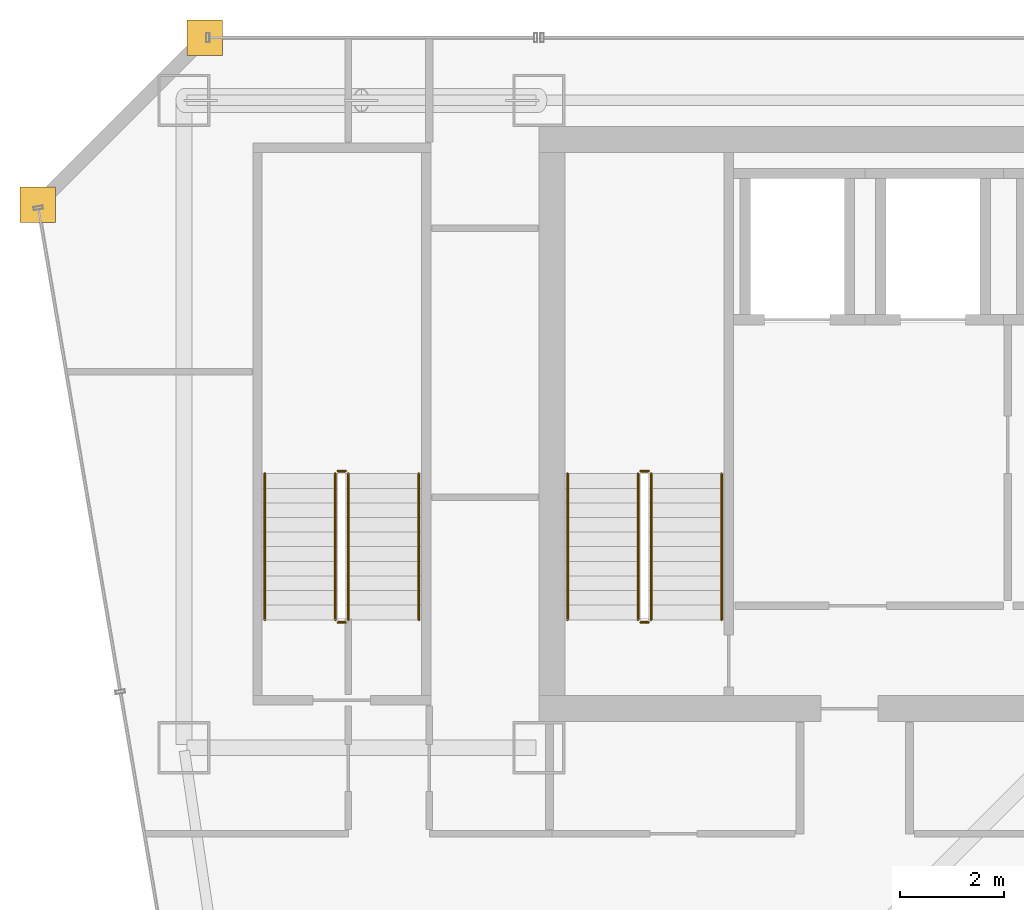
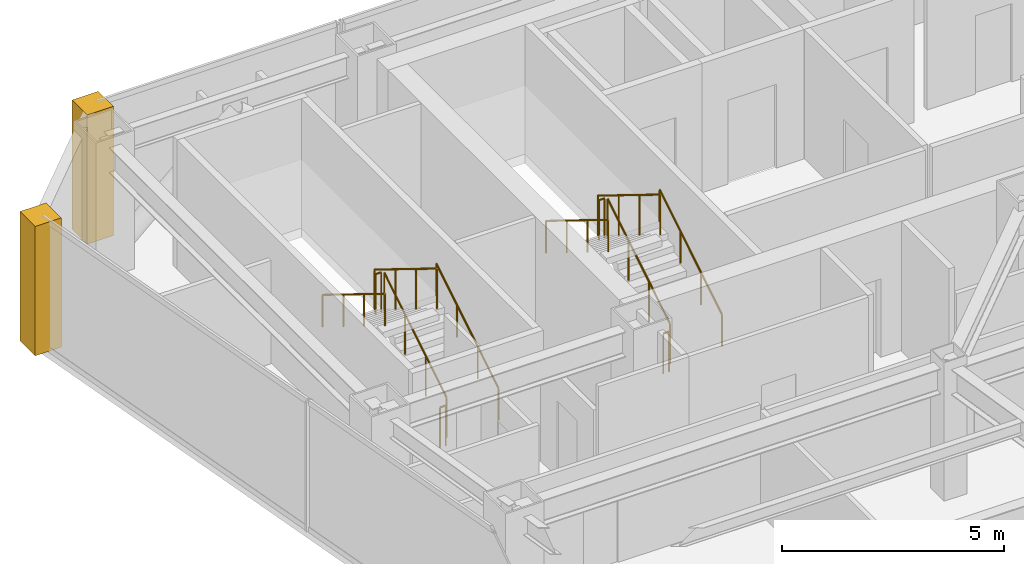
# One storey, part 34 of 35: 12 railings, 2 coverings.
"""IFC4 building model written with IfcOpenShell, lengths in metres."""

from ifc_helpers import new_model, si_unit, direction, frame, origin, origin_2d, place, context, subcontext, project, spatial, polyline, circle, outline, extrude, material, layer, layer_set, type_object, element, save


model = new_model("IFC4")

# Units and contexts
model_context = context("Model", 3, precision=1e-05, world=origin(), true_north=direction((0.0, 1.0)))
body_context = subcontext(model_context, "Body", "Model", "MODEL_VIEW")
ifc_project = project(units=[si_unit("LENGTHUNIT", "METRE"), si_unit("AREAUNIT", "SQUARE_METRE"), si_unit("VOLUMEUNIT", "CUBIC_METRE"), si_unit("PLANEANGLEUNIT", "RADIAN"), si_unit("MASSUNIT", "GRAM", prefix="KILO")], contexts=[model_context])

# Site, building, storey
site_placement = place(None, origin())
site = spatial("IfcSite", under=ifc_project, at=site_placement, CompositionType="ELEMENT")
building_placement = place(site_placement, origin())
building = spatial("IfcBuilding", under=site, at=building_placement, Name="Saevonmaru Cultural Tower", CompositionType="ELEMENT")
storey_placement = place(building_placement, frame((0.0, 0.0, 175.199951171875)))
storey = spatial("IfcBuildingStorey", under=building, at=storey_placement, Name="L39", CompositionType="ELEMENT", Elevation=175.199951171875)

# Coverings
ifc_material_1 = material(Name="Satin Bronze Anodised Aluminium", Category="aluminium")
ifc_layer = layer(ifc_material_1, 0.679931640625, Name="Satin Bronze Anodised Aluminium")
ifc_layer_set = layer_set([ifc_layer], Name="Satin Bronze Anodised Aluminium")
covering_type = type_object("IfcCoveringType", Name="CV-CORNER-CLAD", PredefinedType="CLADDING", material=ifc_layer_set)
covering_1_placement = place(storey_placement, origin())
element("IfcCovering", 1, at=covering_1_placement, inside=storey, type_object=covering_type, Name="L39 Tower Bronze Corner Cladding Pier 11", PredefinedType="CLADDING", context=body_context, shape_type="SweptSolid", body=[
    extrude(outline(polyline([(6.860107421875, 55.659912109375), (7.5400390625, 55.659912109375), (7.5400390625, 56.340087890625), (6.860107421875, 56.340087890625), (6.860107421875, 55.659912109375)])), origin(), (0.0, 0.0, 1.0), 3.550048828125),
])
covering_2_placement = place(storey_placement, origin())
element("IfcCovering", 2, at=covering_2_placement, inside=storey, type_object=covering_type, Name="L39 Tower Bronze Corner Cladding Pier 12", PredefinedType="CLADDING", context=body_context, shape_type="SweptSolid", body=[
    extrude(outline(polyline([(3.659912109375, 52.4599609375), (4.340087890625, 52.4599609375), (4.340087890625, 53.139892578125), (3.659912109375, 53.139892578125), (3.659912109375, 52.4599609375)])), origin(), (0.0, 0.0, 1.0), 3.550048828125),
])

# Railings
ifc_material_2 = material(Name="Architectural Painted Steel", Category="steel")
railing_type_1 = type_object("IfcRailingType", Name="RL-STAIR-GUARD", PredefinedType="GUARDRAIL", material=ifc_material_2)
railing_1_placement = place(storey_placement, frame((15.75, 44.85009765625, 0.1728515625)))
element("IfcRailing", 3, at=railing_1_placement, inside=storey, type_object=railing_type_1, Name="L39 ST-1 stair guard 1", PredefinedType="GUARDRAIL", context=body_context, shape_type="SweptSolid", body=[
    extrude(circle(Radius=0.02392578125, at=origin_2d()), frame((0.0, 0.0, 1.09619140625), z_axis=(0.0, 0.851069175582, 0.525053576669), x_axis=(-1.0, 0.0, 0.0)), (0.0, 0.0, 1.0), 3.289794921875),
    extrude(circle(Radius=0.02099609375, at=origin_2d()), origin(), (0.0, 0.0, 1.0), 1.072021484375),
    extrude(circle(Radius=0.02099609375, at=origin_2d()), frame((0.0, 0.933349609375, 0.57568359375)), (0.0, 0.0, 1.0), 1.072021484375),
    extrude(circle(Radius=0.02099609375, at=origin_2d()), frame((0.0, 1.866455078125, 1.151611328125)), (0.0, 0.0, 1.0), 1.072021484375),
    extrude(circle(Radius=0.02099609375, at=origin_2d()), frame((0.0, 2.7998046875, 1.727294921875)), (0.0, 0.0, 1.0), 1.072021484375),
])
railing_2_placement = place(storey_placement, frame((15.699951171875, 47.699951171875, 1.900146484375)))
element("IfcRailing", 4, at=railing_2_placement, inside=storey, type_object=railing_type_1, Name="L39 ST-1 stair guard 2", PredefinedType="GUARDRAIL", context=body_context, shape_type="SweptSolid", body=[
    extrude(circle(Radius=0.02392578125, at=origin_2d()), frame((0.0, 0.0, 1.09619140625), z_axis=(-1.0, 0.0, 0.0), x_axis=(0.0, -1.0, 0.0)), (0.0, 0.0, 1.0), 0.14990234375),
    extrude(circle(Radius=0.02099609375, at=origin_2d()), origin(), (0.0, 0.0, 1.0), 1.072021484375),
    extrude(circle(Radius=0.02099609375, at=origin_2d()), frame((-0.14990234375, 0.0, 0.0)), (0.0, 0.0, 1.0), 1.072021484375),
])
railing_3_placement = place(storey_placement, frame((15.5, 47.64990234375, 2.07275390625)))
element("IfcRailing", 5, at=railing_3_placement, inside=storey, type_object=railing_type_1, Name="L39 ST-1 stair guard 3", PredefinedType="GUARDRAIL", context=body_context, shape_type="SweptSolid", body=[
    extrude(circle(Radius=0.02392578125, at=origin_2d()), frame((0.0, 0.0, 1.09619140625), z_axis=(0.0, -0.851069175582, 0.525053576669), x_axis=(1.0, 0.0, 0.0)), (0.0, 0.0, 1.0), 3.289794921875),
    extrude(circle(Radius=0.02099609375, at=origin_2d()), origin(), (0.0, 0.0, 1.0), 1.072021484375),
    extrude(circle(Radius=0.02099609375, at=origin_2d()), frame((0.0, -0.933349609375, 0.57568359375)), (0.0, 0.0, 1.0), 1.072021484375),
    extrude(circle(Radius=0.02099609375, at=origin_2d()), frame((0.0, -1.866455078125, 1.151611328125)), (0.0, 0.0, 1.0), 1.072021484375),
    extrude(circle(Radius=0.02099609375, at=origin_2d()), frame((0.0, -2.7998046875, 1.727294921875)), (0.0, 0.0, 1.0), 1.072021484375),
])
railing_4_placement = place(storey_placement, frame((15.699951171875, 44.800048828125, 0.0)))
element("IfcRailing", 6, at=railing_4_placement, inside=storey, type_object=railing_type_1, Name="L39 ST-1 stair guard 4", PredefinedType="GUARDRAIL", context=body_context, shape_type="SweptSolid", body=[
    extrude(circle(Radius=0.02392578125, at=origin_2d()), frame((0.0, 0.0, 1.09619140625), z_axis=(-1.0, 0.0, 0.0), x_axis=(0.0, -1.0, 0.0)), (0.0, 0.0, 1.0), 0.14990234375),
    extrude(circle(Radius=0.02099609375, at=origin_2d()), origin(), (0.0, 0.0, 1.0), 1.072021484375),
    extrude(circle(Radius=0.02099609375, at=origin_2d()), frame((-0.14990234375, 0.0, 0.0)), (0.0, 0.0, 1.0), 1.072021484375),
])
railing_5_placement = place(storey_placement, frame((9.949951171875, 44.85009765625, 0.1728515625)))
element("IfcRailing", 7, at=railing_5_placement, inside=storey, type_object=railing_type_1, Name="L39 ST-3 stair guard 1", PredefinedType="GUARDRAIL", context=body_context, shape_type="SweptSolid", body=[
    extrude(circle(Radius=0.02392578125, at=origin_2d()), frame((0.0, 0.0, 1.09619140625), z_axis=(0.0, 0.851069175582, 0.525053576669), x_axis=(-1.0, 0.0, 0.0)), (0.0, 0.0, 1.0), 3.289794921875),
    extrude(circle(Radius=0.02099609375, at=origin_2d()), origin(), (0.0, 0.0, 1.0), 1.072021484375),
    extrude(circle(Radius=0.02099609375, at=origin_2d()), frame((0.0, 0.933349609375, 0.57568359375)), (0.0, 0.0, 1.0), 1.072021484375),
    extrude(circle(Radius=0.02099609375, at=origin_2d()), frame((0.0, 1.866455078125, 1.151611328125)), (0.0, 0.0, 1.0), 1.072021484375),
    extrude(circle(Radius=0.02099609375, at=origin_2d()), frame((0.0, 2.7998046875, 1.727294921875)), (0.0, 0.0, 1.0), 1.072021484375),
])
railing_6_placement = place(storey_placement, frame((9.89990234375, 47.699951171875, 1.900146484375)))
element("IfcRailing", 8, at=railing_6_placement, inside=storey, type_object=railing_type_1, Name="L39 ST-3 stair guard 2", PredefinedType="GUARDRAIL", context=body_context, shape_type="SweptSolid", body=[
    extrude(circle(Radius=0.02392578125, at=origin_2d()), frame((0.0, 0.0, 1.09619140625), z_axis=(-1.0, 0.0, 0.0), x_axis=(0.0, -1.0, 0.0)), (0.0, 0.0, 1.0), 0.14990234375),
    extrude(circle(Radius=0.02099609375, at=origin_2d()), origin(), (0.0, 0.0, 1.0), 1.072021484375),
    extrude(circle(Radius=0.02099609375, at=origin_2d()), frame((-0.14990234375, 0.0, 0.0)), (0.0, 0.0, 1.0), 1.072021484375),
])
railing_7_placement = place(storey_placement, frame((9.699951171875, 47.64990234375, 2.07275390625)))
element("IfcRailing", 9, at=railing_7_placement, inside=storey, type_object=railing_type_1, Name="L39 ST-3 stair guard 3", PredefinedType="GUARDRAIL", context=body_context, shape_type="SweptSolid", body=[
    extrude(circle(Radius=0.02392578125, at=origin_2d()), frame((0.0, 0.0, 1.09619140625), z_axis=(0.0, -0.851069175582, 0.525053576669), x_axis=(1.0, 0.0, 0.0)), (0.0, 0.0, 1.0), 3.289794921875),
    extrude(circle(Radius=0.02099609375, at=origin_2d()), origin(), (0.0, 0.0, 1.0), 1.072021484375),
    extrude(circle(Radius=0.02099609375, at=origin_2d()), frame((0.0, -0.933349609375, 0.57568359375)), (0.0, 0.0, 1.0), 1.072021484375),
    extrude(circle(Radius=0.02099609375, at=origin_2d()), frame((0.0, -1.866455078125, 1.151611328125)), (0.0, 0.0, 1.0), 1.072021484375),
    extrude(circle(Radius=0.02099609375, at=origin_2d()), frame((0.0, -2.7998046875, 1.727294921875)), (0.0, 0.0, 1.0), 1.072021484375),
])
railing_8_placement = place(storey_placement, frame((9.89990234375, 44.800048828125, 0.0)))
element("IfcRailing", 10, at=railing_8_placement, inside=storey, type_object=railing_type_1, Name="L39 ST-3 stair guard 4", PredefinedType="GUARDRAIL", context=body_context, shape_type="SweptSolid", body=[
    extrude(circle(Radius=0.02392578125, at=origin_2d()), frame((0.0, 0.0, 1.09619140625), z_axis=(-1.0, 0.0, 0.0), x_axis=(0.0, -1.0, 0.0)), (0.0, 0.0, 1.0), 0.14990234375),
    extrude(circle(Radius=0.02099609375, at=origin_2d()), origin(), (0.0, 0.0, 1.0), 1.072021484375),
    extrude(circle(Radius=0.02099609375, at=origin_2d()), frame((-0.14990234375, 0.0, 0.0)), (0.0, 0.0, 1.0), 1.072021484375),
])
railing_type_2 = type_object("IfcRailingType", Name="RL-STAIR-HANDRAIL", PredefinedType="HANDRAIL", material=ifc_material_1)
railing_9_placement = place(storey_placement, frame((17.10009765625, 44.85009765625, 0.1728515625)))
element("IfcRailing", 11, at=railing_9_placement, inside=storey, type_object=railing_type_2, Name="L39 ST-1 stair handrail 1", PredefinedType="HANDRAIL", context=body_context, shape_type="SweptSolid", body=[
    extrude(circle(Radius=0.02392578125, at=origin_2d()), frame((0.0, 0.0, 0.8759765625), z_axis=(0.0, 0.851069175582, 0.525053576669), x_axis=(-1.0, 0.0, 0.0)), (0.0, 0.0, 1.0), 3.289794921875),
    extrude(circle(Radius=0.02099609375, at=origin_2d()), origin(), (0.0, 0.0, 1.0), 0.851806640625),
    extrude(circle(Radius=0.02099609375, at=origin_2d()), frame((0.0, 0.933349609375, 0.57568359375)), (0.0, 0.0, 1.0), 0.851806640625),
    extrude(circle(Radius=0.02099609375, at=origin_2d()), frame((0.0, 1.866455078125, 1.151611328125)), (0.0, 0.0, 1.0), 0.851806640625),
    extrude(circle(Radius=0.02099609375, at=origin_2d()), frame((0.0, 2.7998046875, 1.727294921875)), (0.0, 0.0, 1.0), 0.851806640625),
])
railing_10_placement = place(storey_placement, frame((14.14990234375, 47.64990234375, 2.07275390625)))
element("IfcRailing", 12, at=railing_10_placement, inside=storey, type_object=railing_type_2, Name="L39 ST-1 stair handrail 2", PredefinedType="HANDRAIL", context=body_context, shape_type="SweptSolid", body=[
    extrude(circle(Radius=0.02392578125, at=origin_2d()), frame((0.0, 0.0, 0.8759765625), z_axis=(0.0, -0.851069175582, 0.525053576669), x_axis=(1.0, 0.0, 0.0)), (0.0, 0.0, 1.0), 3.289794921875),
    extrude(circle(Radius=0.02099609375, at=origin_2d()), origin(), (0.0, 0.0, 1.0), 0.851806640625),
    extrude(circle(Radius=0.02099609375, at=origin_2d()), frame((0.0, -0.933349609375, 0.57568359375)), (0.0, 0.0, 1.0), 0.851806640625),
    extrude(circle(Radius=0.02099609375, at=origin_2d()), frame((0.0, -1.866455078125, 1.151611328125)), (0.0, 0.0, 1.0), 0.851806640625),
    extrude(circle(Radius=0.02099609375, at=origin_2d()), frame((0.0, -2.7998046875, 1.727294921875)), (0.0, 0.0, 1.0), 0.851806640625),
])
railing_11_placement = place(storey_placement, frame((11.300048828125, 44.85009765625, 0.1728515625)))
element("IfcRailing", 13, at=railing_11_placement, inside=storey, type_object=railing_type_2, Name="L39 ST-3 stair handrail 1", PredefinedType="HANDRAIL", context=body_context, shape_type="SweptSolid", body=[
    extrude(circle(Radius=0.02392578125, at=origin_2d()), frame((0.0, 0.0, 0.8759765625), z_axis=(0.0, 0.851069175582, 0.525053576669), x_axis=(-1.0, 0.0, 0.0)), (0.0, 0.0, 1.0), 3.289794921875),
    extrude(circle(Radius=0.02099609375, at=origin_2d()), origin(), (0.0, 0.0, 1.0), 0.851806640625),
    extrude(circle(Radius=0.02099609375, at=origin_2d()), frame((0.0, 0.933349609375, 0.57568359375)), (0.0, 0.0, 1.0), 0.851806640625),
    extrude(circle(Radius=0.02099609375, at=origin_2d()), frame((0.0, 1.866455078125, 1.151611328125)), (0.0, 0.0, 1.0), 0.851806640625),
    extrude(circle(Radius=0.02099609375, at=origin_2d()), frame((0.0, 2.7998046875, 1.727294921875)), (0.0, 0.0, 1.0), 0.851806640625),
])
railing_12_placement = place(storey_placement, frame((8.35009765625, 47.64990234375, 2.07275390625)))
element("IfcRailing", 14, at=railing_12_placement, inside=storey, type_object=railing_type_2, Name="L39 ST-3 stair handrail 2", PredefinedType="HANDRAIL", context=body_context, shape_type="SweptSolid", body=[
    extrude(circle(Radius=0.02392578125, at=origin_2d()), frame((0.0, 0.0, 0.8759765625), z_axis=(0.0, -0.851069175582, 0.525053576669), x_axis=(1.0, 0.0, 0.0)), (0.0, 0.0, 1.0), 3.289794921875),
    extrude(circle(Radius=0.02099609375, at=origin_2d()), origin(), (0.0, 0.0, 1.0), 0.851806640625),
    extrude(circle(Radius=0.02099609375, at=origin_2d()), frame((0.0, -0.933349609375, 0.57568359375)), (0.0, 0.0, 1.0), 0.851806640625),
    extrude(circle(Radius=0.02099609375, at=origin_2d()), frame((0.0, -1.866455078125, 1.151611328125)), (0.0, 0.0, 1.0), 0.851806640625),
    extrude(circle(Radius=0.02099609375, at=origin_2d()), frame((0.0, -2.7998046875, 1.727294921875)), (0.0, 0.0, 1.0), 0.851806640625),
])

save(model, "model.ifc")
